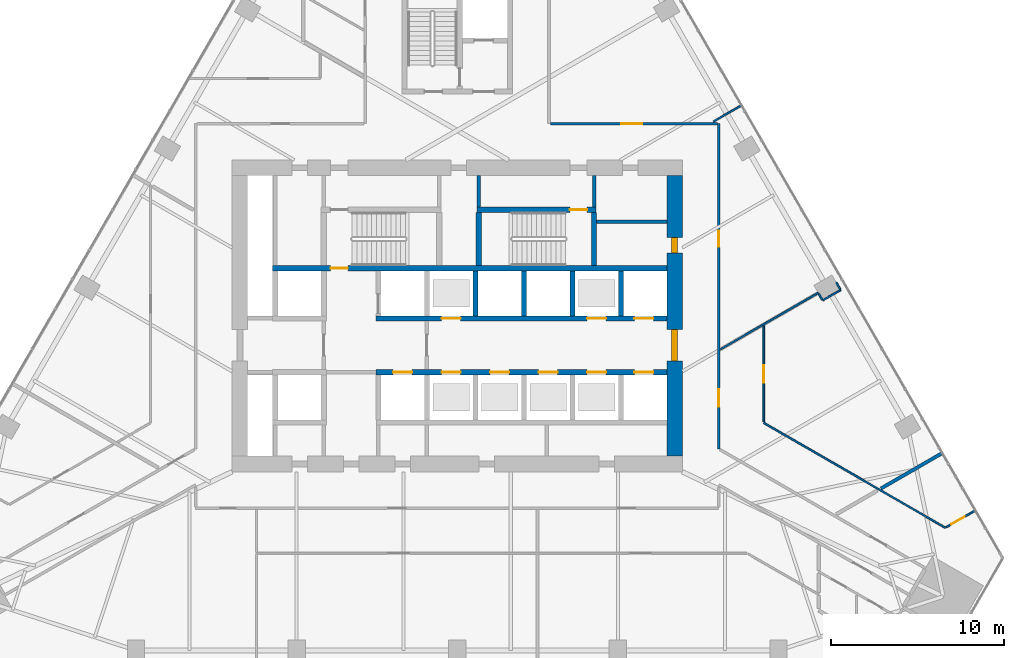
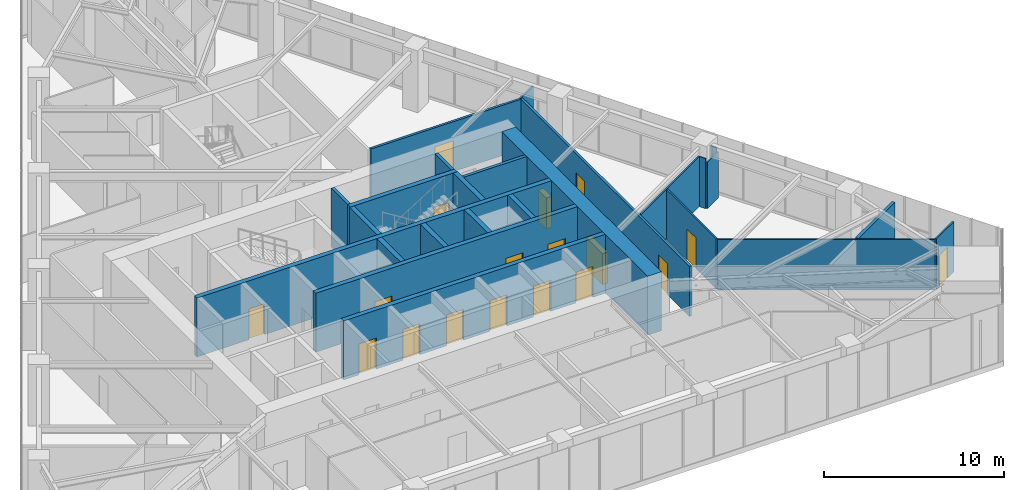
# One storey, part 18 of 22: 25 walls, 18 doors, 18 openings.
"""IFC4 building model written with IfcOpenShell, lengths in metres."""

import ifcopenshell
import ifcopenshell.guid

model = None  # the IFC model being written
_history = None  # IfcOwnerHistory: only IFC2X3 demands one
_inside = {}  # id of a spatial element -> (the spatial element, [elements in it])
_under = {}  # id of a project, library or spatial element -> (it, [spatial elements below it])
_declared = {}  # id of a project -> (the project, [libraries it declares])
_typed = {}  # id of a type object -> (the type object, [elements of that type])
_made_of = {}  # id of a material, layer set ... -> (it, [elements and type objects made of it])


def new_model(schema):
    """Start an empty IFC model of exactly this schema.

    Asked for "IFC4X3", IfcOpenShell would pick the latest addendum, in which some entities
    have other attributes; the version numbers below select the first issue.
    IFC2X3 requires an IfcOwnerHistory on every rooted entity: one is made here for all.
    """
    global model, _history
    if schema == "IFC4X3":
        model = ifcopenshell.file(schema_version=(4, 3, 0, 0))
    else:
        model = ifcopenshell.file(schema=schema)
    _inside.clear()
    _under.clear()
    _declared.clear()
    _typed.clear()
    _made_of.clear()
    _history = None
    if model.schema == "IFC2X3":
        org = make("IfcOrganization", Name="unknown")
        user = make(
            "IfcPersonAndOrganization",
            ThePerson=make("IfcPerson", FamilyName="unknown"),
            TheOrganization=org,
        )
        app = make(
            "IfcApplication",
            ApplicationDeveloper=org,
            Version="unknown",
            ApplicationFullName="unknown",
            ApplicationIdentifier="unknown",
        )
        _history = make(
            "IfcOwnerHistory",
            OwningUser=user,
            OwningApplication=app,
            ChangeAction="ADDED",
            CreationDate=0,
        )
    return model


def make(cls, **values):
    """One entity of the class cls with the attributes given. An attribute that is None is left unset."""
    return model.create_entity(
        cls, **{name: value for name, value in values.items() if value is not None}
    )


def rooted(cls, **values):
    """An entity with a GlobalId (a new one), such as an element, a storey or a relation."""
    return make(cls, GlobalId=ifcopenshell.guid.new(), OwnerHistory=_history, **values)


def si_unit(unit_type, name, prefix=None):
    """IfcSIUnit, for example si_unit("LENGTHUNIT", "METRE", prefix="MILLI")."""
    return make("IfcSIUnit", UnitType=unit_type, Prefix=prefix, Name=name)


def assignment(units):
    """IfcUnitAssignment: the units of a project."""
    return None if units is None else make("IfcUnitAssignment", Units=units)


def point(xyz):
    """IfcCartesianPoint."""
    return None if xyz is None else make("IfcCartesianPoint", Coordinates=xyz)


def direction(xyz):
    """IfcDirection."""
    return None if xyz is None else make("IfcDirection", DirectionRatios=xyz)


def frame(location, z_axis=None, x_axis=None):
    """IfcAxis2Placement3D, a coordinate frame: its origin and axes. An axis left out is left unset."""
    return make(
        "IfcAxis2Placement3D",
        Location=point(location),
        Axis=direction(z_axis),
        RefDirection=direction(x_axis),
    )


def frame_2d(location, x_axis=None):
    """IfcAxis2Placement2D, a coordinate frame in the plane: its origin and x axis."""
    return make(
        "IfcAxis2Placement2D", Location=point(location), RefDirection=direction(x_axis)
    )


def origin():
    """The frame at (0, 0, 0) with its axes left unset."""
    return frame((0.0, 0.0, 0.0))


def place(relative_to, where):
    """IfcLocalPlacement: puts the frame where relative to a parent placement (None: the world)."""
    return make(
        "IfcLocalPlacement", PlacementRelTo=relative_to, RelativePlacement=where
    )


def context(
    kind, dimensions, precision=None, world=None, true_north=None, identifier=None
):
    """IfcGeometricRepresentationContext, for example the 3D "Model" context."""
    return make(
        "IfcGeometricRepresentationContext",
        ContextIdentifier=identifier,
        ContextType=kind,
        CoordinateSpaceDimension=dimensions,
        Precision=precision,
        WorldCoordinateSystem=world,
        TrueNorth=true_north,
    )


def subcontext(parent, identifier, kind, view, scale=None):
    """IfcGeometricRepresentationSubContext, for example "Body" below "Model"."""
    return make(
        "IfcGeometricRepresentationSubContext",
        ContextIdentifier=identifier,
        ContextType=kind,
        ParentContext=parent,
        TargetScale=scale,
        TargetView=view,
    )


def project(units=None, contexts=None):
    """IfcProject with its units and contexts."""
    return rooted(
        "IfcProject",
        Name="project",
        RepresentationContexts=contexts,
        UnitsInContext=assignment(units),
    )


def spatial(cls, under=None, at=None, **own):
    """A site, building, storey or space (cls), placed at a placement, below another one or the project."""
    s = rooted(cls, ObjectPlacement=at, **own)
    if under is not None:
        _under.setdefault(under.id(), (under, []))[1].append(s)
    return s


def profile(cls, at=None, kind="AREA", **sizes):
    """A parametric profile (cls). Its sizes go by their IFC names, for example OverallWidth=200.0."""
    return make(cls, ProfileType=kind, Position=at, **sizes)


def rectangle(**sizes):
    """IfcRectangleProfileDef."""
    return profile("IfcRectangleProfileDef", **sizes)


def extrude(swept, where, along, depth):
    """IfcExtrudedAreaSolid: the profile swept, set in the frame where, extruded along a direction by depth."""
    return make(
        "IfcExtrudedAreaSolid",
        SweptArea=swept,
        Position=where,
        ExtrudedDirection=direction(along),
        Depth=depth,
    )


def shape(context_of_items, identifier, shape_type, items):
    """IfcShapeRepresentation: the items that make up one representation, for example the "Body"."""
    return make(
        "IfcShapeRepresentation",
        ContextOfItems=context_of_items,
        RepresentationIdentifier=identifier,
        RepresentationType=shape_type,
        Items=items,
    )


def material(Name=None, Category=None):
    """IfcMaterial."""
    return make("IfcMaterial", Name=Name, Category=Category)


def layer(
    of_material, thickness, ventilated=None, Name=None, Category=None, Priority=None
):
    """IfcMaterialLayer: one layer of a wall or slab, of a material (None: an air gap)."""
    return make(
        "IfcMaterialLayer",
        Material=of_material,
        LayerThickness=thickness,
        IsVentilated=ventilated,
        Name=Name,
        Category=Category,
        Priority=Priority,
    )


def layer_set(layers, Name=None):
    """IfcMaterialLayerSet."""
    return make("IfcMaterialLayerSet", MaterialLayers=layers, LayerSetName=Name)


def made_of(thing, what):
    """Note that an element or type object is made of a material, layer set ...; save() writes the relation."""
    if what is not None:
        _made_of.setdefault(what.id(), (what, []))[1].append(thing)
    return thing


def type_object(cls, material=None, **own):
    """A type object (cls), such as IfcWallType, which elements share."""
    return made_of(rooted(cls, **own), material)


def element(
    cls,
    number,
    at=None,
    inside=None,
    cuts=None,
    type_object=None,
    material=None,
    context=None,
    identifier="Body",
    shape_type=None,
    held_by="IfcProductDefinitionShape",
    body=None,
    shapes=None,
    **own,
):
    """One element of the class cls, such as IfcWall. Its Tag is "e" and its number.

    at: its placement. inside: the storey or other place that contains it. cuts: it is an
    opening in that element (IfcRelVoidsElement). A single representation is given by context,
    identifier, shape_type and body (its items); several are given by shapes. held_by: the class
    of the entity that holds the representations. save() writes the other relations.
    """
    e = rooted(cls, Tag="e%d" % number, ObjectPlacement=at, **own)
    if body is not None:
        shapes = [shape(context, identifier, shape_type, body)]
    if shapes is not None:
        e.Representation = make(held_by, Representations=shapes)
    if inside is not None:
        _inside.setdefault(inside.id(), (inside, []))[1].append(e)
    if cuts is not None:
        rooted(
            "IfcRelVoidsElement", RelatingBuildingElement=cuts, RelatedOpeningElement=e
        )
    if type_object is not None:
        _typed.setdefault(type_object.id(), (type_object, []))[1].append(e)
    return made_of(e, material)


def fill(opening, filler):
    """IfcRelFillsElement: the door or window that sits in an opening."""
    return rooted(
        "IfcRelFillsElement",
        RelatingOpeningElement=opening,
        RelatedBuildingElement=filler,
    )


def aggregate(whole, parts):
    """IfcRelAggregates: a whole, such as a stair, and the parts it consists of."""
    return rooted("IfcRelAggregates", RelatingObject=whole, RelatedObjects=parts)


def save(model, path):
    """Write the relations noted so far, then the file.

    IfcRelAggregates (storeys below a building ...), IfcRelContainedInSpatialStructure (elements
    in a storey), IfcRelDefinesByType, IfcRelAssociatesMaterial and IfcRelDeclares: one each for
    every whole, place, type object, material and project.
    """
    for whole, parts in _under.values():
        aggregate(whole, parts)
    for where, things in _inside.values():
        rooted(
            "IfcRelContainedInSpatialStructure",
            RelatedElements=things,
            RelatingStructure=where,
        )
    for kind, things in _typed.values():
        rooted("IfcRelDefinesByType", RelatedObjects=things, RelatingType=kind)
    for what, things in _made_of.values():
        rooted("IfcRelAssociatesMaterial", RelatedObjects=things, RelatingMaterial=what)
    for by, libraries in _declared.values():
        rooted("IfcRelDeclares", RelatingContext=by, RelatedDefinitions=libraries)
    model.write(path)


model = new_model("IFC4")

# Units and contexts
model_context = context("Model", 3, precision=1e-05, world=origin(), true_north=direction((0.0, 1.0)))
body_context = subcontext(model_context, "Body", "Model", "MODEL_VIEW")
ifc_project = project(units=[si_unit("LENGTHUNIT", "METRE"), si_unit("AREAUNIT", "SQUARE_METRE"), si_unit("VOLUMEUNIT", "CUBIC_METRE"), si_unit("PLANEANGLEUNIT", "RADIAN"), si_unit("MASSUNIT", "GRAM", prefix="KILO")], contexts=[model_context])

# Site, building, storey
site_placement = place(None, origin())
site = spatial("IfcSite", under=ifc_project, at=site_placement, CompositionType="ELEMENT")
building_placement = place(site_placement, origin())
building = spatial("IfcBuilding", under=site, at=building_placement, Name="Firuza Gate Tower and Library", CompositionType="ELEMENT")
storey_placement = place(building_placement, frame((0.0, 0.0, 128.199951171875)))
storey = spatial("IfcBuildingStorey", under=building, at=storey_placement, Name="L29", CompositionType="ELEMENT", Elevation=128.199951171875)

# Walls
ifc_material_1 = material(Name="Plasterboard on steel studs", Category="steel")
ifc_layer_1 = layer(ifc_material_1, 0.199951171875)
ifc_layer_set_1 = layer_set([ifc_layer_1], Name="Core partition 200 EI 120")
wall_type_1 = type_object("IfcWallType", Name="Core partition 200 EI 120", PredefinedType="PARTITIONING", material=ifc_layer_set_1)
wall_1_placement = place(storey_placement, frame((83.050048828125, 80.425048828125, 0.0), z_axis=(0.0, 0.0, 1.0), x_axis=(1.0, 0.0, 0.0)))
element("IfcWall", 1, at=wall_1_placement, inside=storey, type_object=wall_type_1, Name="Core partition L29 4", PredefinedType="PARTITIONING", context=body_context, shape_type="SweptSolid", body=[
    extrude(rectangle(XDim=4.050048828125, YDim=0.199951171875, at=frame_2d((2.02490234375, 0.0))), origin(), (0.0, 0.0, 1.0), 4.0),
])
wall_2_placement = place(storey_placement, frame((82.89990234375, 81.280029296875, 0.0), z_axis=(0.0, 0.0, 1.0), x_axis=(0.0, 1.0, 0.0)))
element("IfcWall", 2, at=wall_2_placement, inside=storey, type_object=wall_type_1, Name="Core partition L29 16", PredefinedType="PARTITIONING", context=body_context, shape_type="SweptSolid", body=[
    extrude(rectangle(XDim=1.820068359375, YDim=0.199951171875, at=frame_2d((0.91015625, 0.0))), origin(), (0.0, 0.0, 1.0), 4.0),
])
ifc_material_2 = material(Name="Plasterboard on steel studs", Category="steel")
ifc_layer_2 = layer(ifc_material_2, 0.199951171875)
ifc_layer_set_2 = layer_set([ifc_layer_2], Name="Core partition 200 EI 60")
wall_type_2 = type_object("IfcWallType", Name="Core partition 200 EI 60", PredefinedType="PARTITIONING", material=ifc_layer_set_2)
wall_3_placement = place(storey_placement, frame((76.239990234375, 81.280029296875, 0.0), z_axis=(0.0, 0.0, 1.0), x_axis=(0.0, 1.0, 0.0)))
element("IfcWall", 3, at=wall_3_placement, inside=storey, type_object=wall_type_2, Name="Core partition L29 14", PredefinedType="PARTITIONING", context=body_context, shape_type="SweptSolid", body=[
    extrude(rectangle(XDim=1.820068359375, YDim=0.199951171875, at=frame_2d((0.91015625, 0.0))), origin(), (0.0, 0.0, 1.0), 4.0),
])

# Wall, openings, doors
ifc_material_3 = material(Name="Concrete C80/95", Category="concrete")
ifc_layer_3 = layer(ifc_material_3, 0.300048828125)
ifc_layer_set_3 = layer_set([ifc_layer_3], Name="Core wall 300 C80/95")
wall_type_3 = type_object("IfcWallType", Name="Core wall 300 C80/95", PredefinedType="SHEAR", material=ifc_layer_set_3)
wall_4_placement = place(storey_placement, frame((70.300048828125, 71.75, 0.0), z_axis=(0.0, 0.0, 1.0), x_axis=(1.0, 0.0, 0.0)))
wall_4 = element("IfcWall", 4, at=wall_4_placement, inside=storey, type_object=wall_type_3, Name="Core wall L29 8", PredefinedType="SHEAR", context=body_context, shape_type="SweptSolid", body=[
    extrude(rectangle(XDim=16.800048828125, YDim=0.300048828125, at=frame_2d((8.39990234375, 0.0))), origin(), (0.0, 0.0, 1.0), 4.0),
])
opening_1_placement = place(wall_4_placement, frame((1.0, 0.0, 0.0)))
opening_1 = element("IfcOpeningElement", 5, at=opening_1_placement, cuts=wall_4, Name="Opening LD-FF1-L29", PredefinedType="OPENING", context=body_context, shape_type="SweptSolid", body=[
    extrude(rectangle(XDim=1.10009765625, YDim=2.10009765625, at=frame_2d((0.550048828125, 1.050048828125))), frame((0.0, 0.16015625, 0.0), z_axis=(0.0, -1.0, 0.0), x_axis=(1.0, 0.0, 0.0)), (0.0, 0.0, 1.0), 0.320068359375),
])
opening_2_placement = place(wall_4_placement, frame((3.800048828125, 0.0, 0.0)))
opening_2 = element("IfcOpeningElement", 6, at=opening_2_placement, cuts=wall_4, Name="Opening LD-LR1-L29", PredefinedType="OPENING", context=body_context, shape_type="SweptSolid", body=[
    extrude(rectangle(XDim=1.10009765625, YDim=2.10009765625, at=frame_2d((0.550048828125, 1.050048828125))), frame((0.0, 0.16015625, 0.0), z_axis=(0.0, -1.0, 0.0), x_axis=(1.0, 0.0, 0.0)), (0.0, 0.0, 1.0), 0.320068359375),
])
opening_3_placement = place(wall_4_placement, frame((6.60009765625, 0.0, 0.0)))
opening_3 = element("IfcOpeningElement", 7, at=opening_3_placement, cuts=wall_4, Name="Opening LD-LR2-L29", PredefinedType="OPENING", context=body_context, shape_type="SweptSolid", body=[
    extrude(rectangle(XDim=1.10009765625, YDim=2.10009765625, at=frame_2d((0.550048828125, 1.050048828125))), frame((0.0, 0.16015625, 0.0), z_axis=(0.0, -1.0, 0.0), x_axis=(1.0, 0.0, 0.0)), (0.0, 0.0, 1.0), 0.320068359375),
])
opening_4_placement = place(wall_4_placement, frame((9.39990234375, 0.0, 0.0)))
opening_4 = element("IfcOpeningElement", 8, at=opening_4_placement, cuts=wall_4, Name="Opening LD-LR3-L29", PredefinedType="OPENING", context=body_context, shape_type="SweptSolid", body=[
    extrude(rectangle(XDim=1.10009765625, YDim=2.10009765625, at=frame_2d((0.550048828125, 1.050048828125))), frame((0.0, 0.16015625, 0.0), z_axis=(0.0, -1.0, 0.0), x_axis=(1.0, 0.0, 0.0)), (0.0, 0.0, 1.0), 0.320068359375),
])
opening_5_placement = place(wall_4_placement, frame((12.199951171875, 0.0, 0.0)))
opening_5 = element("IfcOpeningElement", 9, at=opening_5_placement, cuts=wall_4, Name="Opening LD-LR5-L29", PredefinedType="OPENING", context=body_context, shape_type="SweptSolid", body=[
    extrude(rectangle(XDim=1.10009765625, YDim=2.10009765625, at=frame_2d((0.550048828125, 1.050048828125))), frame((0.0, 0.16015625, 0.0), z_axis=(0.0, -1.0, 0.0), x_axis=(1.0, 0.0, 0.0)), (0.0, 0.0, 1.0), 0.320068359375),
])
opening_6_placement = place(wall_4_placement, frame((14.925048828125, 0.0, 0.0)))
opening_6 = element("IfcOpeningElement", 10, at=opening_6_placement, cuts=wall_4, Name="Opening LD-LR7-L29", PredefinedType="OPENING", context=body_context, shape_type="SweptSolid", body=[
    extrude(rectangle(XDim=1.10009765625, YDim=2.10009765625, at=frame_2d((0.550048828125, 1.050048828125))), frame((0.0, 0.16015625, 0.0), z_axis=(0.0, -1.0, 0.0), x_axis=(1.0, 0.0, 0.0)), (0.0, 0.0, 1.0), 0.320068359375),
])
ifc_material_4 = material(Name="Stainless steel", Category="steel")
door_type_1 = type_object("IfcDoorType", Name="Lift landing door 1100x2100", OperationType="DOUBLE_DOOR_SLIDING", PredefinedType="DOOR", material=ifc_material_4)
door_1_placement = place(opening_1_placement, origin())
door_1 = element("IfcDoor", 11, at=door_1_placement, inside=storey, type_object=door_type_1, Name="Landing door FF1 L29", OperationType="DOUBLE_DOOR_SLIDING", OverallHeight=2.10009765625, OverallWidth=1.10009765625, PredefinedType="DOOR", context=body_context, shape_type="SweptSolid", body=[
    extrude(rectangle(XDim=1.10009765625, YDim=2.10009765625, at=frame_2d((0.550048828125, 1.050048828125))), frame((0.0, 0.02490234375, 0.0), z_axis=(0.0, -1.0, 0.0), x_axis=(1.0, 0.0, 0.0)), (0.0, 0.0, 1.0), 0.050048828125),
])
fill(opening_1, door_1)
door_2_placement = place(opening_2_placement, origin())
door_2 = element("IfcDoor", 12, at=door_2_placement, inside=storey, type_object=door_type_1, Name="Landing door LR1 L29", OperationType="DOUBLE_DOOR_SLIDING", OverallHeight=2.10009765625, OverallWidth=1.10009765625, PredefinedType="DOOR", context=body_context, shape_type="SweptSolid", body=[
    extrude(rectangle(XDim=1.10009765625, YDim=2.10009765625, at=frame_2d((0.550048828125, 1.050048828125))), frame((0.0, 0.02490234375, 0.0), z_axis=(0.0, -1.0, 0.0), x_axis=(1.0, 0.0, 0.0)), (0.0, 0.0, 1.0), 0.050048828125),
])
fill(opening_2, door_2)
door_3_placement = place(opening_3_placement, origin())
door_3 = element("IfcDoor", 13, at=door_3_placement, inside=storey, type_object=door_type_1, Name="Landing door LR2 L29", OperationType="DOUBLE_DOOR_SLIDING", OverallHeight=2.10009765625, OverallWidth=1.10009765625, PredefinedType="DOOR", context=body_context, shape_type="SweptSolid", body=[
    extrude(rectangle(XDim=1.10009765625, YDim=2.10009765625, at=frame_2d((0.550048828125, 1.050048828125))), frame((0.0, 0.02490234375, 0.0), z_axis=(0.0, -1.0, 0.0), x_axis=(1.0, 0.0, 0.0)), (0.0, 0.0, 1.0), 0.050048828125),
])
fill(opening_3, door_3)
door_4_placement = place(opening_4_placement, origin())
door_4 = element("IfcDoor", 14, at=door_4_placement, inside=storey, type_object=door_type_1, Name="Landing door LR3 L29", OperationType="DOUBLE_DOOR_SLIDING", OverallHeight=2.10009765625, OverallWidth=1.10009765625, PredefinedType="DOOR", context=body_context, shape_type="SweptSolid", body=[
    extrude(rectangle(XDim=1.10009765625, YDim=2.10009765625, at=frame_2d((0.550048828125, 1.050048828125))), frame((0.0, 0.02490234375, 0.0), z_axis=(0.0, -1.0, 0.0), x_axis=(1.0, 0.0, 0.0)), (0.0, 0.0, 1.0), 0.050048828125),
])
fill(opening_4, door_4)
door_5_placement = place(opening_5_placement, origin())
door_5 = element("IfcDoor", 15, at=door_5_placement, inside=storey, type_object=door_type_1, Name="Landing door LR5 L29", OperationType="DOUBLE_DOOR_SLIDING", OverallHeight=2.10009765625, OverallWidth=1.10009765625, PredefinedType="DOOR", context=body_context, shape_type="SweptSolid", body=[
    extrude(rectangle(XDim=1.10009765625, YDim=2.10009765625, at=frame_2d((0.550048828125, 1.050048828125))), frame((0.0, 0.02490234375, 0.0), z_axis=(0.0, -1.0, 0.0), x_axis=(1.0, 0.0, 0.0)), (0.0, 0.0, 1.0), 0.050048828125),
])
fill(opening_5, door_5)
door_6_placement = place(opening_6_placement, origin())
door_6 = element("IfcDoor", 16, at=door_6_placement, inside=storey, type_object=door_type_1, Name="Landing door LR7 L29", OperationType="DOUBLE_DOOR_SLIDING", OverallHeight=2.10009765625, OverallWidth=1.10009765625, PredefinedType="DOOR", context=body_context, shape_type="SweptSolid", body=[
    extrude(rectangle(XDim=1.10009765625, YDim=2.10009765625, at=frame_2d((0.550048828125, 1.050048828125))), frame((0.0, 0.02490234375, 0.0), z_axis=(0.0, -1.0, 0.0), x_axis=(1.0, 0.0, 0.0)), (0.0, 0.0, 1.0), 0.050048828125),
])
fill(opening_6, door_6)

wall_5_placement = place(storey_placement, frame((70.300048828125, 74.85009765625, 0.0), z_axis=(0.0, 0.0, 1.0), x_axis=(1.0, 0.0, 0.0)))
wall_5 = element("IfcWall", 17, at=wall_5_placement, inside=storey, type_object=wall_type_3, Name="Core wall L29 10", PredefinedType="SHEAR", context=body_context, shape_type="SweptSolid", body=[
    extrude(rectangle(XDim=16.800048828125, YDim=0.300048828125, at=frame_2d((8.39990234375, 0.0))), origin(), (0.0, 0.0, 1.0), 4.0),
])
opening_7_placement = place(wall_5_placement, frame((3.800048828125, 0.0, 0.0)))
opening_7 = element("IfcOpeningElement", 18, at=opening_7_placement, cuts=wall_5, Name="Opening LD-LR4-L29", PredefinedType="OPENING", context=body_context, shape_type="SweptSolid", body=[
    extrude(rectangle(XDim=1.10009765625, YDim=2.10009765625, at=frame_2d((0.550048828125, 1.050048828125))), frame((0.0, 0.16015625, 0.0), z_axis=(0.0, -1.0, 0.0), x_axis=(1.0, 0.0, 0.0)), (0.0, 0.0, 1.0), 0.320068359375),
])
opening_8_placement = place(wall_5_placement, frame((12.199951171875, 0.0, 0.0)))
opening_8 = element("IfcOpeningElement", 19, at=opening_8_placement, cuts=wall_5, Name="Opening LD-LR6-L29", PredefinedType="OPENING", context=body_context, shape_type="SweptSolid", body=[
    extrude(rectangle(XDim=1.10009765625, YDim=2.10009765625, at=frame_2d((0.550048828125, 1.050048828125))), frame((0.0, 0.16015625, 0.0), z_axis=(0.0, -1.0, 0.0), x_axis=(1.0, 0.0, 0.0)), (0.0, 0.0, 1.0), 0.320068359375),
])
opening_9_placement = place(wall_5_placement, frame((14.925048828125, 0.0, 0.0)))
opening_9 = element("IfcOpeningElement", 20, at=opening_9_placement, cuts=wall_5, Name="Opening LD-LR8-L29", PredefinedType="OPENING", context=body_context, shape_type="SweptSolid", body=[
    extrude(rectangle(XDim=1.10009765625, YDim=2.10009765625, at=frame_2d((0.550048828125, 1.050048828125))), frame((0.0, 0.16015625, 0.0), z_axis=(0.0, -1.0, 0.0), x_axis=(1.0, 0.0, 0.0)), (0.0, 0.0, 1.0), 0.320068359375),
])
door_7_placement = place(opening_7_placement, origin())
door_7 = element("IfcDoor", 21, at=door_7_placement, inside=storey, type_object=door_type_1, Name="Landing door LR4 L29", OperationType="DOUBLE_DOOR_SLIDING", OverallHeight=2.10009765625, OverallWidth=1.10009765625, PredefinedType="DOOR", context=body_context, shape_type="SweptSolid", body=[
    extrude(rectangle(XDim=1.10009765625, YDim=2.10009765625, at=frame_2d((0.550048828125, 1.050048828125))), frame((0.0, 0.02490234375, 0.0), z_axis=(0.0, -1.0, 0.0), x_axis=(1.0, 0.0, 0.0)), (0.0, 0.0, 1.0), 0.050048828125),
])
fill(opening_7, door_7)
door_8_placement = place(opening_8_placement, origin())
door_8 = element("IfcDoor", 22, at=door_8_placement, inside=storey, type_object=door_type_1, Name="Landing door LR6 L29", OperationType="DOUBLE_DOOR_SLIDING", OverallHeight=2.10009765625, OverallWidth=1.10009765625, PredefinedType="DOOR", context=body_context, shape_type="SweptSolid", body=[
    extrude(rectangle(XDim=1.10009765625, YDim=2.10009765625, at=frame_2d((0.550048828125, 1.050048828125))), frame((0.0, 0.02490234375, 0.0), z_axis=(0.0, -1.0, 0.0), x_axis=(1.0, 0.0, 0.0)), (0.0, 0.0, 1.0), 0.050048828125),
])
fill(opening_8, door_8)
door_9_placement = place(opening_9_placement, origin())
door_9 = element("IfcDoor", 23, at=door_9_placement, inside=storey, type_object=door_type_1, Name="Landing door LR8 L29", OperationType="DOUBLE_DOOR_SLIDING", OverallHeight=2.10009765625, OverallWidth=1.10009765625, PredefinedType="DOOR", context=body_context, shape_type="SweptSolid", body=[
    extrude(rectangle(XDim=1.10009765625, YDim=2.10009765625, at=frame_2d((0.550048828125, 1.050048828125))), frame((0.0, 0.02490234375, 0.0), z_axis=(0.0, -1.0, 0.0), x_axis=(1.0, 0.0, 0.0)), (0.0, 0.0, 1.0), 0.050048828125),
])
fill(opening_9, door_9)

# Walls
for number, where, z_axis, x_axis, name in (
    (24, (76.050048828125, 75.0, 0.0), (0.0, 0.0, 1.0), (0.0, 1.0, 0.0), "Core wall L29 20"),
    (25, (78.85009765625, 75.0, 0.0), (0.0, 0.0, 1.0), (0.0, 1.0, 0.0), "Core wall L29 22"),
    (26, (81.64990234375, 75.0, 0.0), (0.0, 0.0, 1.0), (0.0, 1.0, 0.0), "Core wall L29 24"),
    (27, (84.449951171875, 75.0, 0.0), (0.0, 0.0, 1.0), (0.0, 1.0, 0.0), "Core wall L29 26"),
):
    element("IfcWall", number, at=place(storey_placement, frame(where, z_axis=z_axis, x_axis=x_axis)), inside=storey, type_object=wall_type_3, Name=name, PredefinedType="SHEAR", context=body_context, shape_type="SweptSolid", body=[
        extrude(rectangle(XDim=2.60009765625, YDim=0.300048828125, at=frame_2d((1.300048828125, 0.0))), origin(), (0.0, 0.0, 1.0), 4.0),
    ])

# Wall, opening, door
wall_6_placement = place(storey_placement, frame((64.35009765625, 77.75, 0.0), z_axis=(0.0, 0.0, 1.0), x_axis=(1.0, 0.0, 0.0)))
wall_6 = element("IfcWall", 28, at=wall_6_placement, inside=storey, type_object=wall_type_3, Name="Core wall L29 27", PredefinedType="SHEAR", context=body_context, shape_type="SweptSolid", body=[
    extrude(rectangle(XDim=22.75, YDim=0.300048828125, at=frame_2d((11.375, 0.0))), origin(), (0.0, 0.0, 1.0), 4.0),
])
opening_10_placement = place(wall_6_placement, frame((3.344970703125, 0.0, 0.0)))
opening_10 = element("IfcOpeningElement", 29, at=opening_10_placement, cuts=wall_6, Name="Opening L29-K12", PredefinedType="OPENING", context=body_context, shape_type="SweptSolid", body=[
    extrude(rectangle(XDim=1.0, YDim=2.10009765625, at=frame_2d((0.5, 1.050048828125))), frame((0.0, 0.16015625, 0.0), z_axis=(0.0, -1.0, 0.0), x_axis=(1.0, 0.0, 0.0)), (0.0, 0.0, 1.0), 0.320068359375),
])
ifc_material_5 = material(Name="Steel", Category="steel")
door_type_2 = type_object("IfcDoorType", Name="Fire door 1000x2100 FD90", OperationType="NOTDEFINED", PredefinedType="DOOR", material=ifc_material_5)
door_10_placement = place(opening_10_placement, origin())
door_10 = element("IfcDoor", 30, at=door_10_placement, inside=storey, type_object=door_type_2, Name="Door L29-K12", OperationType="SINGLE_SWING_LEFT", OverallHeight=2.10009765625, OverallWidth=1.0, PredefinedType="DOOR", context=body_context, shape_type="SweptSolid", body=[
    extrude(rectangle(XDim=1.0, YDim=2.10009765625, at=frame_2d((0.5, 1.050048828125))), frame((0.0, 0.02490234375, 0.0), z_axis=(0.0, -1.0, 0.0), x_axis=(1.0, 0.0, 0.0)), (0.0, 0.0, 1.0), 0.050048828125),
])
fill(opening_10, door_10)

wall_7_placement = place(storey_placement, frame((76.139892578125, 81.1298828125, 0.0), z_axis=(0.0, 0.0, 1.0), x_axis=(1.0, 0.0, 0.0)))
wall_7 = element("IfcWall", 31, at=wall_7_placement, inside=storey, type_object=wall_type_3, Name="Core wall L29 29", PredefinedType="SHEAR", context=body_context, shape_type="SweptSolid", body=[
    extrude(rectangle(XDim=6.860107421875, YDim=0.300048828125, at=frame_2d((3.43017578125, 0.0))), origin(), (0.0, 0.0, 1.0), 4.0),
])
opening_11_placement = place(wall_7_placement, frame((5.364990234375, 0.0, 0.0)))
opening_11 = element("IfcOpeningElement", 32, at=opening_11_placement, cuts=wall_7, Name="Opening L29-K15", PredefinedType="OPENING", context=body_context, shape_type="SweptSolid", body=[
    extrude(rectangle(XDim=1.0, YDim=2.10009765625, at=frame_2d((0.5, 1.050048828125))), frame((0.0, 0.16015625, 0.0), z_axis=(0.0, -1.0, 0.0), x_axis=(1.0, 0.0, 0.0)), (0.0, 0.0, 1.0), 0.320068359375),
])
door_11_placement = place(opening_11_placement, origin())
door_11 = element("IfcDoor", 33, at=door_11_placement, inside=storey, type_object=door_type_2, Name="Door L29-K15", OperationType="SINGLE_SWING_RIGHT", OverallHeight=2.10009765625, OverallWidth=1.0, PredefinedType="DOOR", context=body_context, shape_type="SweptSolid", body=[
    extrude(rectangle(XDim=1.0, YDim=2.10009765625, at=frame_2d((0.5, 1.050048828125))), frame((0.0, 0.02490234375, 0.0), z_axis=(0.0, -1.0, 0.0), x_axis=(1.0, 0.0, 0.0)), (0.0, 0.0, 1.0), 0.050048828125),
])
fill(opening_11, door_11)

# Walls
for number, where, z_axis, x_axis, name in (
    (34, (76.239990234375, 77.89990234375, 0.0), (0.0, 0.0, 1.0), (0.0, 1.0, 0.0), "Core wall L29 32"),
    (35, (82.89990234375, 77.89990234375, 0.0), (0.0, 0.0, 1.0), (0.0, 1.0, 0.0), "Core wall L29 33"),
):
    element("IfcWall", number, at=place(storey_placement, frame(where, z_axis=z_axis, x_axis=x_axis)), inside=storey, type_object=wall_type_3, Name=name, PredefinedType="SHEAR", context=body_context, shape_type="SweptSolid", body=[
        extrude(rectangle(XDim=3.080078125, YDim=0.300048828125, at=frame_2d((1.5400390625, 0.0))), origin(), (0.0, 0.0, 1.0), 4.0),
    ])

# Wall, openings, doors
ifc_material_6 = material(Name="Concrete C80/95", Category="concrete")
ifc_layer_4 = layer(ifc_material_6, 0.89990234375)
ifc_layer_set_4 = layer_set([ifc_layer_4], Name="Core wall 900 C80/95")
wall_type_4 = type_object("IfcWallType", Name="Core wall 900 C80/95", PredefinedType="SHEAR", material=ifc_layer_set_4)
wall_8_placement = place(storey_placement, frame((87.550048828125, 66.89990234375, 0.0), z_axis=(0.0, 0.0, 1.0), x_axis=(0.0, 1.0, 0.0)))
wall_8 = element("IfcWall", 36, at=wall_8_placement, inside=storey, type_object=wall_type_4, Name="Core wall L29 4", PredefinedType="SHEAR", context=body_context, shape_type="SweptSolid", body=[
    extrude(rectangle(XDim=16.2001953125, YDim=0.89990234375, at=frame_2d((8.10009765625, 0.0))), origin(), (0.0, 0.0, 1.0), 4.0),
])
opening_12_placement = place(wall_8_placement, frame((5.5, 0.0, 0.0)))
opening_12 = element("IfcOpeningElement", 37, at=opening_12_placement, cuts=wall_8, Name="Opening L29-K23", PredefinedType="OPENING", context=body_context, shape_type="SweptSolid", body=[
    extrude(rectangle(XDim=1.800048828125, YDim=2.10009765625, at=frame_2d((0.89990234375, 1.050048828125))), frame((0.0, 0.4599609375, 0.0), z_axis=(0.0, -1.0, 0.0), x_axis=(1.0, 0.0, 0.0)), (0.0, 0.0, 1.0), 0.919921875),
])
opening_13_placement = place(wall_8_placement, frame((11.737548828125, 0.0, 0.0)))
opening_13 = element("IfcOpeningElement", 38, at=opening_13_placement, cuts=wall_8, Name="Opening L29-K31", PredefinedType="OPENING", context=body_context, shape_type="SweptSolid", body=[
    extrude(rectangle(XDim=0.89990234375, YDim=2.10009765625, at=frame_2d((0.449951171875, 1.050048828125))), frame((0.0, 0.4599609375, 0.0), z_axis=(0.0, -1.0, 0.0), x_axis=(1.0, 0.0, 0.0)), (0.0, 0.0, 1.0), 0.919921875),
])
ifc_material_7 = material(Name="Steel", Category="steel")
door_type_3 = type_object("IfcDoorType", Name="Fire door 1800x2100 FD30S", OperationType="NOTDEFINED", PredefinedType="DOOR", material=ifc_material_7)
door_12_placement = place(opening_12_placement, origin())
door_12 = element("IfcDoor", 39, at=door_12_placement, inside=storey, type_object=door_type_3, Name="Door L29-K23", OperationType="SINGLE_SWING_RIGHT", OverallHeight=2.10009765625, OverallWidth=1.800048828125, PredefinedType="DOOR", context=body_context, shape_type="SweptSolid", body=[
    extrude(rectangle(XDim=1.800048828125, YDim=2.10009765625, at=frame_2d((0.89990234375, 1.050048828125))), frame((0.0, 0.169921875, 0.0), z_axis=(0.0, -1.0, 0.0), x_axis=(1.0, 0.0, 0.0)), (0.0, 0.0, 1.0), 0.33984375),
])
fill(opening_12, door_12)
ifc_material_8 = material(Name="Steel", Category="steel")
door_type_4 = type_object("IfcDoorType", Name="Fire door 900x2100 FD30S", OperationType="NOTDEFINED", PredefinedType="DOOR", material=ifc_material_8)
door_13_placement = place(opening_13_placement, origin())
door_13 = element("IfcDoor", 40, at=door_13_placement, inside=storey, type_object=door_type_4, Name="Door L29-K31", OperationType="SINGLE_SWING_RIGHT", OverallHeight=2.10009765625, OverallWidth=0.89990234375, PredefinedType="DOOR", context=body_context, shape_type="SweptSolid", body=[
    extrude(rectangle(XDim=0.89990234375, YDim=2.10009765625, at=frame_2d((0.449951171875, 1.050048828125))), frame((0.0, 0.169921875, 0.0), z_axis=(0.0, -1.0, 0.0), x_axis=(1.0, 0.0, 0.0)), (0.0, 0.0, 1.0), 0.33984375),
])
fill(opening_13, door_13)

# Wall, opening, door
ifc_material_9 = material(Name="Gypsum board partition")
ifc_layer_5 = layer(ifc_material_9, 0.14990234375)
ifc_layer_set_5 = layer_set([ifc_layer_5], Name="Corridor wall 150 double board on steel studs")
wall_type_5 = type_object("IfcWallType", Name="Corridor wall 150 double board on steel studs", PredefinedType="PARTITIONING", material=ifc_layer_set_5)
wall_9_placement = place(storey_placement, frame((80.375, 86.10009765625, 0.0), z_axis=(0.0, 0.0, 1.0), x_axis=(1.0, 0.0, 0.0)))
wall_9 = element("IfcWall", 41, at=wall_9_placement, inside=storey, type_object=wall_type_5, Name="f:L29:w003", PredefinedType="PARTITIONING", context=body_context, shape_type="SweptSolid", body=[
    extrude(rectangle(XDim=9.6494140625, YDim=0.14990234375, at=frame_2d((4.82470703125, 0.0))), origin(), (0.0, 0.0, 1.0), 3.400146484375),
])
opening_14_placement = place(wall_9_placement, frame((4.1103515625, 0.0, 0.0)))
opening_14 = element("IfcOpeningElement", 42, at=opening_14_placement, cuts=wall_9, Name="Opening L29-07", PredefinedType="OPENING", context=body_context, shape_type="SweptSolid", body=[
    extrude(rectangle(XDim=1.199951171875, YDim=2.10009765625, at=frame_2d((0.60009765625, 1.050048828125))), frame((0.0, 0.0849609375, 0.0), z_axis=(0.0, -1.0, 0.0), x_axis=(1.0, 0.0, 0.0)), (0.0, 0.0, 1.0), 0.169921875),
])
ifc_material_10 = material(Name="Steel door and timber leaf", Category="steel")
door_type_5 = type_object("IfcDoorType", Name="Fire door 1200 x 2100 steel frame, double leaf", OperationType="NOTDEFINED", PredefinedType="DOOR", material=ifc_material_10)
door_14_placement = place(opening_14_placement, origin())
door_14 = element("IfcDoor", 43, at=door_14_placement, inside=storey, type_object=door_type_5, Name="f:L29:d007", OperationType="DOUBLE_DOOR_SINGLE_SWING", OverallHeight=2.10009765625, OverallWidth=1.199951171875, PredefinedType="DOOR", context=body_context, shape_type="SweptSolid", body=[
    extrude(rectangle(XDim=1.199951171875, YDim=2.10009765625, at=frame_2d((0.60009765625, 1.050048828125))), frame((0.0, 0.02490234375, 0.0), z_axis=(0.0, -1.0, 0.0), x_axis=(1.0, 0.0, 0.0)), (0.0, 0.0, 1.0), 0.050048828125),
])
fill(opening_14, door_14)

# Wall, openings, doors
wall_10_placement = place(storey_placement, frame((90.10009765625, 86.099609375, 0.0), z_axis=(0.0, 0.0, 1.0), x_axis=(0.0, -1.0, 0.0)))
wall_10 = element("IfcWall", 44, at=wall_10_placement, inside=storey, type_object=wall_type_5, Name="f:L29:w029", PredefinedType="PARTITIONING", context=body_context, shape_type="SweptSolid", body=[
    extrude(rectangle(XDim=18.7783203125, YDim=0.14990234375, at=frame_2d((9.38916015625, 0.0))), origin(), (0.0, 0.0, 1.0), 3.400146484375),
])
opening_15_placement = place(wall_10_placement, frame((6.195556640625, 0.0, 0.0)))
opening_15 = element("IfcOpeningElement", 45, at=opening_15_placement, cuts=wall_10, Name="Opening L29-18", PredefinedType="OPENING", context=body_context, shape_type="SweptSolid", body=[
    extrude(rectangle(XDim=0.89990234375, YDim=2.10009765625, at=frame_2d((0.449951171875, 1.050048828125))), frame((0.0, 0.0849609375, 0.0), z_axis=(0.0, -1.0, 0.0), x_axis=(1.0, 0.0, 0.0)), (0.0, 0.0, 1.0), 0.169921875),
])
opening_16_placement = place(wall_10_placement, frame((15.33154296875, 0.0, 0.0)))
opening_16 = element("IfcOpeningElement", 46, at=opening_16_placement, cuts=wall_10, Name="Opening L29-19", PredefinedType="OPENING", context=body_context, shape_type="SweptSolid", body=[
    extrude(rectangle(XDim=1.0, YDim=2.10009765625, at=frame_2d((0.5, 1.050048828125))), frame((0.0, 0.0849609375, 0.0), z_axis=(0.0, -1.0, 0.0), x_axis=(1.0, 0.0, 0.0)), (0.0, 0.0, 1.0), 0.169921875),
])
ifc_material_11 = material(Name="Steel door and timber leaf", Category="steel")
door_type_6 = type_object("IfcDoorType", Name="Fire door 1000 x 2100 steel frame, timber leaf", OperationType="NOTDEFINED", PredefinedType="DOOR", material=ifc_material_11)
door_15_placement = place(opening_16_placement, origin())
door_15 = element("IfcDoor", 47, at=door_15_placement, inside=storey, type_object=door_type_6, Name="f:L29:d019", OperationType="SINGLE_SWING_RIGHT", OverallHeight=2.10009765625, OverallWidth=1.0, PredefinedType="DOOR", context=body_context, shape_type="SweptSolid", body=[
    extrude(rectangle(XDim=1.0, YDim=2.10009765625, at=frame_2d((0.5, 1.050048828125))), frame((0.0, 0.02490234375, 0.0), z_axis=(0.0, -1.0, 0.0), x_axis=(1.0, 0.0, 0.0)), (0.0, 0.0, 1.0), 0.050048828125),
])
fill(opening_16, door_15)
ifc_material_12 = material(Name="Steel door and timber leaf", Category="steel")
door_type_7 = type_object("IfcDoorType", Name="Fire door 900 x 2100 steel frame, timber leaf", OperationType="NOTDEFINED", PredefinedType="DOOR", material=ifc_material_12)
door_16_placement = place(opening_15_placement, origin())
door_16 = element("IfcDoor", 48, at=door_16_placement, inside=storey, type_object=door_type_7, Name="f:L29:d018", OperationType="SINGLE_SWING_LEFT", OverallHeight=2.10009765625, OverallWidth=0.89990234375, PredefinedType="DOOR", context=body_context, shape_type="SweptSolid", body=[
    extrude(rectangle(XDim=0.89990234375, YDim=2.10009765625, at=frame_2d((0.449951171875, 1.050048828125))), frame((0.0, 0.02490234375, 0.0), z_axis=(0.0, -1.0, 0.0), x_axis=(1.0, 0.0, 0.0)), (0.0, 0.0, 1.0), 0.050048828125),
])
fill(opening_15, door_16)

# Wall
ifc_material_13 = material(Name="Gypsum board partition")
ifc_layer_6 = layer(ifc_material_13, 0.199951171875)
ifc_layer_set_6 = layer_set([ifc_layer_6], Name="Demising wall 200 acoustic double stud")
wall_type_6 = type_object("IfcWallType", Name="Demising wall 200 acoustic double stud", PredefinedType="PARTITIONING", material=ifc_layer_set_6)
wall_11_placement = place(storey_placement, frame((99.462890625, 65.033203125, 0.0), z_axis=(0.0, 0.0, 1.0), x_axis=(0.866014978466, 0.500018056747, 0.0)))
element("IfcWall", 49, at=wall_11_placement, inside=storey, type_object=wall_type_6, Name="f:L29:w066", PredefinedType="PARTITIONING", context=body_context, shape_type="SweptSolid", body=[
    extrude(rectangle(XDim=4.074951171875, YDim=0.199951171875, at=frame_2d((2.03759765625, 0.0))), origin(), (0.0, 0.0, 1.0), 3.400146484375),
])

# Wall, opening, door
ifc_material_14 = material(Name="Gypsum board partition")
ifc_layer_7 = layer(ifc_material_14, 0.10009765625)
ifc_layer_set_7 = layer_set([ifc_layer_7], Name="Partition 100 gypsum board on steel studs")
wall_type_7 = type_object("IfcWallType", Name="Partition 100 gypsum board on steel studs", PredefinedType="PARTITIONING", material=ifc_layer_set_7)
wall_12_placement = place(storey_placement, frame((104.90283203125, 63.7607421875, 0.0), z_axis=(0.0, 0.0, 1.0), x_axis=(-0.86605048973, -0.49995654735, 0.0)))
wall_12 = element("IfcWall", 50, at=wall_12_placement, inside=storey, type_object=wall_type_7, Name="f:L29:w010", PredefinedType="PARTITIONING", context=body_context, shape_type="SweptSolid", body=[
    extrude(rectangle(XDim=1.926025390625, YDim=0.10009765625, at=frame_2d((0.962890625, 0.0))), origin(), (0.0, 0.0, 1.0), 3.400146484375),
])
opening_17_placement = place(wall_12_placement, frame((0.693115234375, 0.0, 0.0)))
opening_17 = element("IfcOpeningElement", 51, at=opening_17_placement, cuts=wall_12, Name="Opening L29-11", PredefinedType="OPENING", context=body_context, shape_type="SweptSolid", body=[
    extrude(rectangle(XDim=0.89990234375, YDim=2.10009765625, at=frame_2d((0.449951171875, 1.050048828125))), frame((0.0, 0.06005859375, 0.0), z_axis=(0.0, -1.0, 0.0), x_axis=(1.0, 0.0, 0.0)), (0.0, 0.0, 1.0), 0.1201171875),
])
ifc_material_15 = material(Name="Timber door", Category="wood")
door_type_8 = type_object("IfcDoorType", Name="Door 900 x 2100 timber leaf", OperationType="NOTDEFINED", PredefinedType="DOOR", material=ifc_material_15)
door_17_placement = place(opening_17_placement, origin())
door_17 = element("IfcDoor", 52, at=door_17_placement, inside=storey, type_object=door_type_8, Name="f:L29:d011", OperationType="SINGLE_SWING_RIGHT", OverallHeight=2.10009765625, OverallWidth=0.89990234375, PredefinedType="DOOR", context=body_context, shape_type="SweptSolid", body=[
    extrude(rectangle(XDim=0.89990234375, YDim=2.10009765625, at=frame_2d((0.449951171875, 1.050048828125))), frame((0.0, 0.02490234375, 0.0), z_axis=(0.0, -1.0, 0.0), x_axis=(1.0, 0.0, 0.0)), (0.0, 0.0, 1.0), 0.050048828125),
])
fill(opening_17, door_17)

# Walls
wall_13_placement = place(storey_placement, frame((96.095703125, 75.89599609375, 0.0), z_axis=(0.0, 0.0, 1.0), x_axis=(0.865978732077, 0.500080829057, 0.0)))
element("IfcWall", 53, at=wall_13_placement, inside=storey, type_object=wall_type_7, Name="f:L29:w012", PredefinedType="PARTITIONING", context=body_context, shape_type="SweptSolid", body=[
    extrude(rectangle(XDim=1.198974609375, YDim=0.10009765625, at=frame_2d((0.599609375, 0.0))), origin(), (0.0, 0.0, 1.0), 3.1650390625),
])
wall_14_placement = place(storey_placement, frame((90.20068359375, 73.06982421875, 0.0), z_axis=(0.0, 0.0, 1.0), x_axis=(0.866021525041, 0.500006718121, 0.0)))
element("IfcWall", 54, at=wall_14_placement, inside=storey, type_object=wall_type_7, Name="f:L29:w013", PredefinedType="PARTITIONING", context=body_context, shape_type="SweptSolid", body=[
    extrude(rectangle(XDim=6.517578125, YDim=0.10009765625, at=frame_2d((3.2587890625, 0.0))), origin(), (0.0, 0.0, 1.0), 3.400146484375),
])
wall_15_placement = place(storey_placement, frame((89.79736328125, 86.219970703125, 0.0), z_axis=(0.0, 0.0, 1.0), x_axis=(0.866036320872, 0.499981090573, 0.0)))
element("IfcWall", 55, at=wall_15_placement, inside=storey, type_object=wall_type_7, Name="f:L29:w017", PredefinedType="PARTITIONING", context=body_context, shape_type="SweptSolid", body=[
    extrude(rectangle(XDim=1.85205078125, YDim=0.10009765625, at=frame_2d((0.926025390625, 0.0))), origin(), (0.0, 0.0, 1.0), 3.1650390625),
])

# Wall, opening, door
wall_16_placement = place(storey_placement, frame((92.699951171875, 74.424560546875, 0.0), z_axis=(0.0, 0.0, 1.0), x_axis=(0.0, -1.0, 0.0)))
wall_16 = element("IfcWall", 56, at=wall_16_placement, inside=storey, type_object=wall_type_7, Name="f:L29:w027", PredefinedType="PARTITIONING", context=body_context, shape_type="SweptSolid", body=[
    extrude(rectangle(XDim=5.54443359375, YDim=0.10009765625, at=frame_2d((2.772216796875, 0.0))), origin(), (0.0, 0.0, 1.0), 3.400146484375),
])
opening_18_placement = place(wall_16_placement, frame((2.272216796875, 0.0, 0.0)))
opening_18 = element("IfcOpeningElement", 57, at=opening_18_placement, cuts=wall_16, Name="Opening L29-17", PredefinedType="OPENING", context=body_context, shape_type="SweptSolid", body=[
    extrude(rectangle(XDim=1.0, YDim=2.10009765625, at=frame_2d((0.5, 1.050048828125))), frame((0.0, 0.06005859375, 0.0), z_axis=(0.0, -1.0, 0.0), x_axis=(1.0, 0.0, 0.0)), (0.0, 0.0, 1.0), 0.1201171875),
])
ifc_material_16 = material(Name="Timber door", Category="wood")
door_type_9 = type_object("IfcDoorType", Name="Door 1000 x 2100 timber leaf", OperationType="NOTDEFINED", PredefinedType="DOOR", material=ifc_material_16)
door_18_placement = place(opening_18_placement, origin())
door_18 = element("IfcDoor", 58, at=door_18_placement, inside=storey, type_object=door_type_9, Name="f:L29:d017", OperationType="SINGLE_SWING_LEFT", OverallHeight=2.10009765625, OverallWidth=1.0, PredefinedType="DOOR", context=body_context, shape_type="SweptSolid", body=[
    extrude(rectangle(XDim=1.0, YDim=2.10009765625, at=frame_2d((0.5, 1.050048828125))), frame((0.0, 0.02490234375, 0.0), z_axis=(0.0, -1.0, 0.0), x_axis=(1.0, 0.0, 0.0)), (0.0, 0.0, 1.0), 0.050048828125),
])
fill(opening_18, door_18)

# Walls
wall_17_placement = place(storey_placement, frame((97.109619140625, 76.539306640625, 0.0), z_axis=(0.0, 0.0, 1.0), x_axis=(-0.500286647819, 0.865859844325, 0.0)))
element("IfcWall", 59, at=wall_17_placement, inside=storey, type_object=wall_type_7, Name="f:L29:w047", PredefinedType="PARTITIONING", context=body_context, shape_type="SweptSolid", body=[
    extrude(rectangle(XDim=0.449462890625, YDim=0.10009765625, at=frame_2d((0.224609375, 0.0))), origin(), (0.0, 0.0, 1.0), 3.400146484375),
])
wall_18_placement = place(storey_placement, frame((96.0703125, 75.939208984375, 0.0), z_axis=(0.0, 0.0, 1.0), x_axis=(-0.50002266109, 0.866012320003, 0.0)))
element("IfcWall", 60, at=wall_18_placement, inside=storey, type_object=wall_type_7, Name="f:L29:w048", PredefinedType="PARTITIONING", context=body_context, shape_type="SweptSolid", body=[
    extrude(rectangle(XDim=0.39892578125, YDim=0.10009765625, at=frame_2d((0.199462890625, 0.0))), origin(), (0.0, 0.0, 1.0), 3.400146484375),
])
wall_19_placement = place(storey_placement, frame((103.184814453125, 62.76904296875, 0.0), z_axis=(0.0, 0.0, 1.0), x_axis=(-0.866024396652, 0.5000017444, 0.0)))
element("IfcWall", 61, at=wall_19_placement, inside=storey, type_object=wall_type_7, Name="f:L29:w054", PredefinedType="PARTITIONING", context=body_context, shape_type="SweptSolid", body=[
    extrude(rectangle(XDim=12.10693359375, YDim=0.10009765625, at=frame_2d((6.053466796875, 0.0))), origin(), (0.0, 0.0, 1.0), 3.400146484375),
])

save(model, "model.ifc")
